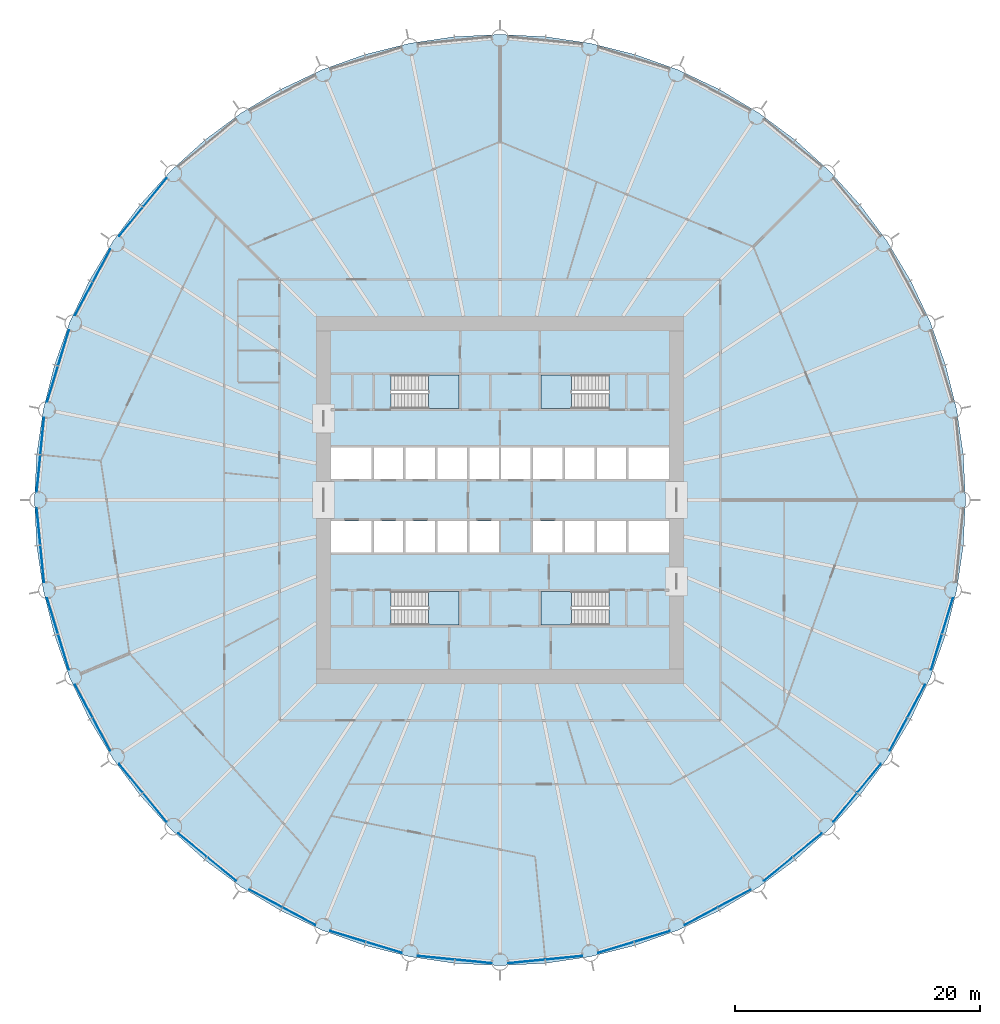
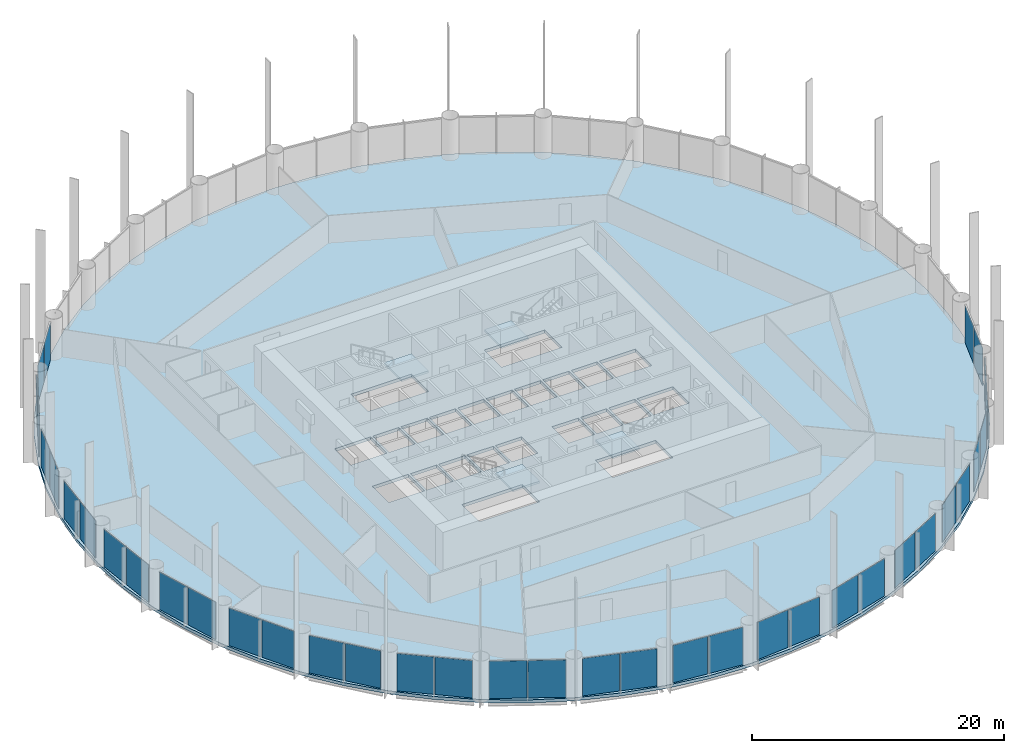
# One storey, part 7 of 15: 38 plates, 5 slabs, 23 elements without a shape of their own.
"""IFC4 building model written with IfcOpenShell, lengths in metres."""

from ifc_helpers import new_model, si_unit, direction, frame, origin, origin_2d, place, context, subcontext, project, spatial, polyline, rectangle, outline, extrude, material, layer, layer_set, type_object, element, aggregate, save


model = new_model("IFC4")

# Units and contexts
model_context = context("Model", 3, precision=1e-05, world=origin(), true_north=direction((0.0, 1.0)))
body_context = subcontext(model_context, "Body", "Model", "MODEL_VIEW")
ifc_project = project(units=[si_unit("LENGTHUNIT", "METRE"), si_unit("AREAUNIT", "SQUARE_METRE"), si_unit("VOLUMEUNIT", "CUBIC_METRE"), si_unit("PLANEANGLEUNIT", "RADIAN"), si_unit("MASSUNIT", "GRAM", prefix="KILO")], contexts=[model_context])

# Site, building, storey
site_placement = place(None, origin())
site = spatial("IfcSite", under=ifc_project, at=site_placement, CompositionType="ELEMENT")
building_placement = place(site_placement, origin())
building = spatial("IfcBuilding", under=site, at=building_placement, Name="Corvane Civic Tower", CompositionType="ELEMENT")
storey_placement = place(building_placement, frame((0.0, 0.0, 65.0)))
storey = spatial("IfcBuildingStorey", under=building, at=storey_placement, Name="L14", CompositionType="ELEMENT", Elevation=65.0)

# Slab
ifc_material_1 = material(Name="Concrete C40/50", Category="concrete")
ifc_layer_1 = layer(ifc_material_1, 0.300048828125)
ifc_layer_set_1 = layer_set([ifc_layer_1], Name="Concrete C40/50")
slab_type_1 = type_object("IfcSlabType", Name="FLOOR SLAB 300", PredefinedType="FLOOR", material=ifc_layer_set_1)
slab_1_placement = place(storey_placement, frame((0.0, 0.0, -0.300048828125)))
element("IfcSlab", 1, at=slab_1_placement, inside=storey, type_object=slab_type_1, Name="SLB-L14", PredefinedType="FLOOR", context=body_context, shape_type="SweptSolid", body=[
    extrude(outline(polyline([(0.0, 38.0), (-3.724609375, 37.817138671875), (-7.413330078125, 37.269775390625), (-11.03076171875, 36.36376953125), (-14.5419921875, 35.107421875), (-17.9130859375, 33.512939453125), (-21.111572265625, 31.595947265625), (-24.10693359375, 29.37451171875), (-26.8701171875, 26.8701171875), (-29.37451171875, 24.10693359375), (-31.595947265625, 21.111572265625), (-33.512939453125, 17.9130859375), (-35.107421875, 14.5419921875), (-36.36376953125, 11.03076171875), (-37.269775390625, 7.413330078125), (-37.817138671875, 3.724609375), (-38.0, 0.0), (-37.817138671875, -3.724609375), (-37.269775390625, -7.413330078125), (-36.36376953125, -11.03076171875), (-35.107421875, -14.5419921875), (-33.512939453125, -17.9130859375), (-31.595947265625, -21.111572265625), (-29.37451171875, -24.10693359375), (-26.8701171875, -26.8701171875), (-24.10693359375, -29.37451171875), (-21.111572265625, -31.595947265625), (-17.9130859375, -33.512939453125), (-14.5419921875, -35.107421875), (-11.03076171875, -36.36376953125), (-7.413330078125, -37.269775390625), (-3.724609375, -37.817138671875), (0.0, -38.0), (3.724609375, -37.817138671875), (7.413330078125, -37.269775390625), (11.03076171875, -36.36376953125), (14.5419921875, -35.107421875), (17.9130859375, -33.512939453125), (21.111572265625, -31.595947265625), (24.10693359375, -29.37451171875), (26.8701171875, -26.8701171875), (29.37451171875, -24.10693359375), (31.595947265625, -21.111572265625), (33.512939453125, -17.9130859375), (35.107421875, -14.5419921875), (36.36376953125, -11.03076171875), (37.269775390625, -7.413330078125), (37.817138671875, -3.724609375), (38.0, 0.0), (37.817138671875, 3.724609375), (37.269775390625, 7.413330078125), (36.36376953125, 11.03076171875), (35.107421875, 14.5419921875), (33.512939453125, 17.9130859375), (31.595947265625, 21.111572265625), (29.37451171875, 24.10693359375), (26.8701171875, 26.8701171875), (24.10693359375, 29.37451171875), (21.111572265625, 31.595947265625), (17.9130859375, 33.512939453125), (14.5419921875, 35.107421875), (11.03076171875, 36.36376953125), (7.413330078125, 37.269775390625), (3.724609375, 37.817138671875), (0.0, 38.0)]), holes=[polyline([(-13.800048828125, 4.300048828125), (-10.5, 4.300048828125), (-10.5, 1.699951171875), (-13.800048828125, 1.699951171875), (-13.800048828125, 4.300048828125)]), polyline([(-10.300048828125, 4.300048828125), (-7.89990234375, 4.300048828125), (-7.89990234375, 1.699951171875), (-10.300048828125, 1.699951171875), (-10.300048828125, 4.300048828125)]), polyline([(-5.300048828125, 1.699951171875), (-7.699951171875, 1.699951171875), (-7.699951171875, 4.300048828125), (-5.300048828125, 4.300048828125), (-5.300048828125, 1.699951171875)]), polyline([(-2.699951171875, 1.699951171875), (-5.10009765625, 1.699951171875), (-5.10009765625, 4.300048828125), (-2.699951171875, 4.300048828125), (-2.699951171875, 1.699951171875)]), polyline([(-2.5, 4.300048828125), (-0.10009765625, 4.300048828125), (-0.10009765625, 1.699951171875), (-2.5, 1.699951171875), (-2.5, 4.300048828125)]), polyline([(2.5, 4.300048828125), (2.5, 1.699951171875), (0.10009765625, 1.699951171875), (0.10009765625, 4.300048828125), (2.5, 4.300048828125)]), polyline([(2.699951171875, 4.300048828125), (5.10009765625, 4.300048828125), (5.10009765625, 1.699951171875), (2.699951171875, 1.699951171875), (2.699951171875, 4.300048828125)]), polyline([(5.300048828125, 4.300048828125), (7.699951171875, 4.300048828125), (7.699951171875, 1.699951171875), (5.300048828125, 1.699951171875), (5.300048828125, 4.300048828125)]), polyline([(7.89990234375, 4.300048828125), (10.300048828125, 4.300048828125), (10.300048828125, 1.699951171875), (7.89990234375, 1.699951171875), (7.89990234375, 4.300048828125)]), polyline([(13.800048828125, 1.699951171875), (10.5, 1.699951171875), (10.5, 4.300048828125), (13.800048828125, 4.300048828125), (13.800048828125, 1.699951171875)]), polyline([(-13.800048828125, -1.699951171875), (-10.5, -1.699951171875), (-10.5, -4.300048828125), (-13.800048828125, -4.300048828125), (-13.800048828125, -1.699951171875)]), polyline([(-7.89990234375, -1.699951171875), (-7.89990234375, -4.300048828125), (-10.300048828125, -4.300048828125), (-10.300048828125, -1.699951171875), (-7.89990234375, -1.699951171875)]), polyline([(-7.699951171875, -4.300048828125), (-7.699951171875, -1.699951171875), (-5.300048828125, -1.699951171875), (-5.300048828125, -4.300048828125), (-7.699951171875, -4.300048828125)]), polyline([(-5.10009765625, -4.300048828125), (-5.10009765625, -1.699951171875), (-2.699951171875, -1.699951171875), (-2.699951171875, -4.300048828125), (-5.10009765625, -4.300048828125)]), polyline([(-0.10009765625, -1.699951171875), (-0.10009765625, -4.300048828125), (-2.5, -4.300048828125), (-2.5, -1.699951171875), (-0.10009765625, -1.699951171875)]), polyline([(5.10009765625, -1.699951171875), (5.10009765625, -4.300048828125), (2.699951171875, -4.300048828125), (2.699951171875, -1.699951171875), (5.10009765625, -1.699951171875)]), polyline([(7.699951171875, -1.699951171875), (7.699951171875, -4.300048828125), (5.300048828125, -4.300048828125), (5.300048828125, -1.699951171875), (7.699951171875, -1.699951171875)]), polyline([(10.300048828125, -1.699951171875), (10.300048828125, -4.300048828125), (7.89990234375, -4.300048828125), (7.89990234375, -1.699951171875), (10.300048828125, -1.699951171875)]), polyline([(13.800048828125, -4.300048828125), (10.5, -4.300048828125), (10.5, -1.699951171875), (13.800048828125, -1.699951171875), (13.800048828125, -4.300048828125)]), polyline([(8.889892578125, 10.199951171875), (8.889892578125, 7.449951171875), (3.35009765625, 7.449951171875), (3.35009765625, 10.199951171875), (8.889892578125, 10.199951171875)]), polyline([(-8.889892578125, 7.449951171875), (-8.889892578125, 10.199951171875), (-3.35009765625, 10.199951171875), (-3.35009765625, 7.449951171875), (-8.889892578125, 7.449951171875)]), polyline([(8.889892578125, -7.449951171875), (8.889892578125, -10.199951171875), (3.35009765625, -10.199951171875), (3.35009765625, -7.449951171875), (8.889892578125, -7.449951171875)]), polyline([(-8.889892578125, -10.199951171875), (-8.889892578125, -7.449951171875), (-3.35009765625, -7.449951171875), (-3.35009765625, -10.199951171875), (-8.889892578125, -10.199951171875)])]), origin(), (0.0, 0.0, 1.0), 0.300048828125),
])

# Stair, slab
ifc_material_2 = material(Name="Concrete C40/50", Category="concrete")
stair_type = type_object("IfcStairType", Name="ST-STAIR-HALFTURN", PredefinedType="HALF_TURN_STAIR", material=ifc_material_2)
stair_1_placement = place(storey_placement, origin())
stair_1 = element("IfcStair", 2, at=stair_1_placement, inside=storey, type_object=stair_type, Name="L14 Exit stair ST1", PredefinedType="HALF_TURN_STAIR")
ifc_material_3 = material(Name="Concrete C40/50", Category="concrete")
ifc_layer_2 = layer(ifc_material_3, 0.199951171875)
ifc_layer_set_2 = layer_set([ifc_layer_2], Name="Concrete C40/50")
slab_type_2 = type_object("IfcSlabType", Name="ST-LANDING-RC", PredefinedType="LANDING", material=ifc_layer_set_2)
slab_2_placement = place(storey_placement, frame((0.0, 0.0, 1.800048828125)))
slab_2 = element("IfcSlab", 3, at=slab_2_placement, type_object=slab_type_2, Name="ST1 landing 1", PredefinedType="LANDING", context=body_context, shape_type="SweptSolid", body=[
    extrude(outline(polyline([(5.820068359375, 10.199951171875), (3.35009765625, 10.199951171875), (3.35009765625, 7.449951171875), (5.820068359375, 7.449951171875), (5.820068359375, 10.199951171875)])), origin(), (0.0, 0.0, 1.0), 0.199951171875),
])
aggregate(stair_1, [slab_2])

stair_2_placement = place(storey_placement, origin())
stair_2 = element("IfcStair", 4, at=stair_2_placement, inside=storey, type_object=stair_type, Name="L14 Exit stair ST2", PredefinedType="HALF_TURN_STAIR")
slab_3_placement = place(storey_placement, frame((0.0, 0.0, 1.800048828125)))
slab_3 = element("IfcSlab", 5, at=slab_3_placement, type_object=slab_type_2, Name="ST2 landing 1", PredefinedType="LANDING", context=body_context, shape_type="SweptSolid", body=[
    extrude(outline(polyline([(5.820068359375, -7.449951171875), (3.35009765625, -7.449951171875), (3.35009765625, -10.199951171875), (5.820068359375, -10.199951171875), (5.820068359375, -7.449951171875)])), origin(), (0.0, 0.0, 1.0), 0.199951171875),
])
aggregate(stair_2, [slab_3])

stair_3_placement = place(storey_placement, origin())
stair_3 = element("IfcStair", 6, at=stair_3_placement, inside=storey, type_object=stair_type, Name="L14 Exit stair ST3", PredefinedType="HALF_TURN_STAIR")
slab_4_placement = place(storey_placement, frame((0.0, 0.0, 1.800048828125)))
slab_4 = element("IfcSlab", 7, at=slab_4_placement, type_object=slab_type_2, Name="ST3 landing 1", PredefinedType="LANDING", context=body_context, shape_type="SweptSolid", body=[
    extrude(outline(polyline([(-5.820068359375, -10.199951171875), (-3.35009765625, -10.199951171875), (-3.35009765625, -7.449951171875), (-5.820068359375, -7.449951171875), (-5.820068359375, -10.199951171875)])), origin(), (0.0, 0.0, 1.0), 0.199951171875),
])
aggregate(stair_3, [slab_4])

stair_4_placement = place(storey_placement, origin())
stair_4 = element("IfcStair", 8, at=stair_4_placement, inside=storey, type_object=stair_type, Name="L14 Exit stair ST4", PredefinedType="HALF_TURN_STAIR")
slab_5_placement = place(storey_placement, frame((0.0, 0.0, 1.800048828125)))
slab_5 = element("IfcSlab", 9, at=slab_5_placement, type_object=slab_type_2, Name="ST4 landing 1", PredefinedType="LANDING", context=body_context, shape_type="SweptSolid", body=[
    extrude(outline(polyline([(-5.820068359375, 7.449951171875), (-3.35009765625, 7.449951171875), (-3.35009765625, 10.199951171875), (-5.820068359375, 10.199951171875), (-5.820068359375, 7.449951171875)])), origin(), (0.0, 0.0, 1.0), 0.199951171875),
])
aggregate(stair_4, [slab_5])

# Curtain wall, plates
ifc_material_4 = material(Name="Anodised aluminium bronze", Category="aluminium")
curtain_wall_type = type_object("IfcCurtainWallType", Name="TOWER CW-T1 STICK CURTAIN WALL", PredefinedType="NOTDEFINED", material=ifc_material_4)
curtain_wall_1_placement = place(storey_placement, origin())
curtain_wall_1 = element("IfcCurtainWall", 10, at=curtain_wall_1_placement, inside=storey, type_object=curtain_wall_type, Name="Curtain wall CW-T1 L14 bay 10", PredefinedType="NOTDEFINED")
ifc_material_5 = material(Name="Tinted glass", Category="glass")
ifc_layer_3 = layer(ifc_material_5, 0.035888671875)
ifc_layer_set_3 = layer_set([ifc_layer_3], Name="Tinted glass")
plate_type = type_object("IfcPlateType", Name="TOWER CW-T1 PANEL IGU36", PredefinedType="CURTAIN_PANEL", material=ifc_layer_set_3)
plate_1_placement = place(storey_placement, frame((36.522705078125, -9.46533203125, 0.0), z_axis=(0.0, 0.0, 1.0), x_axis=(-0.290278397654, -0.956942240606, 0.0)))
plate_1 = element("IfcPlate", 11, at=plate_1_placement, type_object=plate_type, Name="Glass panel CW-T1 L14 10.1", PredefinedType="CURTAIN_PANEL", context=body_context, shape_type="SweptSolid", body=[
    extrude(rectangle(XDim=3.008544921875, YDim=0.035888671875, at=origin_2d()), origin(), (0.0, 0.0, 1.0), 3.6298828125),
])
plate_2_placement = place(storey_placement, frame((35.6259765625, -12.4208984375, 0.0), z_axis=(0.0, 0.0, 1.0), x_axis=(-0.290278397654, -0.956942240606, 0.0)))
plate_2 = element("IfcPlate", 12, at=plate_2_placement, type_object=plate_type, Name="Glass panel CW-T1 L14 10.2", PredefinedType="CURTAIN_PANEL", context=body_context, shape_type="SweptSolid", body=[
    extrude(rectangle(XDim=3.008544921875, YDim=0.035888671875, at=origin_2d()), origin(), (0.0, 0.0, 1.0), 3.6298828125),
])
aggregate(curtain_wall_1, [plate_1, plate_2])

curtain_wall_2_placement = place(storey_placement, origin())
curtain_wall_2 = element("IfcCurtainWall", 13, at=curtain_wall_2_placement, inside=storey, type_object=curtain_wall_type, Name="Curtain wall CW-T1 L14 bay 11", PredefinedType="NOTDEFINED")
plate_3_placement = place(storey_placement, frame((33.974365234375, -16.40869140625, 0.0), z_axis=(0.0, 0.0, 1.0), x_axis=(-0.471403725359, -0.881917528864, 0.0)))
plate_3 = element("IfcPlate", 14, at=plate_3_placement, type_object=plate_type, Name="Glass panel CW-T1 L14 11.1", PredefinedType="CURTAIN_PANEL", context=body_context, shape_type="SweptSolid", body=[
    extrude(rectangle(XDim=3.008544921875, YDim=0.035888671875, at=origin_2d()), origin(), (0.0, 0.0, 1.0), 3.6298828125),
])
plate_4_placement = place(storey_placement, frame((32.518310546875, -19.132568359375, 0.0), z_axis=(0.0, 0.0, 1.0), x_axis=(-0.471403725359, -0.881917528864, 0.0)))
plate_4 = element("IfcPlate", 15, at=plate_4_placement, type_object=plate_type, Name="Glass panel CW-T1 L14 11.2", PredefinedType="CURTAIN_PANEL", context=body_context, shape_type="SweptSolid", body=[
    extrude(rectangle(XDim=3.008544921875, YDim=0.035888671875, at=origin_2d()), origin(), (0.0, 0.0, 1.0), 3.6298828125),
])
aggregate(curtain_wall_2, [plate_3, plate_4])

curtain_wall_3_placement = place(storey_placement, origin())
curtain_wall_3 = element("IfcCurtainWall", 16, at=curtain_wall_3_placement, inside=storey, type_object=curtain_wall_type, Name="Curtain wall CW-T1 L14 bay 12", PredefinedType="NOTDEFINED")
plate_5_placement = place(storey_placement, frame((30.120361328125, -22.721435546875, 0.0), z_axis=(0.0, 0.0, 1.0), x_axis=(-0.634397218569, -0.773007224463, 0.0)))
plate_5 = element("IfcPlate", 17, at=plate_5_placement, type_object=plate_type, Name="Glass panel CW-T1 L14 12.1", PredefinedType="CURTAIN_PANEL", context=body_context, shape_type="SweptSolid", body=[
    extrude(rectangle(XDim=3.008544921875, YDim=0.035888671875, at=origin_2d()), origin(), (0.0, 0.0, 1.0), 3.6298828125),
])
plate_6_placement = place(storey_placement, frame((28.160888671875, -25.10888671875, 0.0), z_axis=(0.0, 0.0, 1.0), x_axis=(-0.634397218569, -0.773007224463, 0.0)))
plate_6 = element("IfcPlate", 18, at=plate_6_placement, type_object=plate_type, Name="Glass panel CW-T1 L14 12.2", PredefinedType="CURTAIN_PANEL", context=body_context, shape_type="SweptSolid", body=[
    extrude(rectangle(XDim=3.008544921875, YDim=0.035888671875, at=origin_2d()), origin(), (0.0, 0.0, 1.0), 3.6298828125),
])
aggregate(curtain_wall_3, [plate_5, plate_6])

curtain_wall_4_placement = place(storey_placement, origin())
curtain_wall_4 = element("IfcCurtainWall", 19, at=curtain_wall_4_placement, inside=storey, type_object=curtain_wall_type, Name="Curtain wall CW-T1 L14 bay 13", PredefinedType="NOTDEFINED")
plate_7_placement = place(storey_placement, frame((25.10888671875, -28.160888671875, 0.0), z_axis=(0.0, 0.0, 1.0), x_axis=(-0.773007224463, -0.634397218569, 0.0)))
plate_7 = element("IfcPlate", 20, at=plate_7_placement, type_object=plate_type, Name="Glass panel CW-T1 L14 13.1", PredefinedType="CURTAIN_PANEL", context=body_context, shape_type="SweptSolid", body=[
    extrude(rectangle(XDim=3.008544921875, YDim=0.035888671875, at=origin_2d()), origin(), (0.0, 0.0, 1.0), 3.6298828125),
])
plate_8_placement = place(storey_placement, frame((22.721435546875, -30.120361328125, 0.0), z_axis=(0.0, 0.0, 1.0), x_axis=(-0.773007224463, -0.634397218569, 0.0)))
plate_8 = element("IfcPlate", 21, at=plate_8_placement, type_object=plate_type, Name="Glass panel CW-T1 L14 13.2", PredefinedType="CURTAIN_PANEL", context=body_context, shape_type="SweptSolid", body=[
    extrude(rectangle(XDim=3.008544921875, YDim=0.035888671875, at=origin_2d()), origin(), (0.0, 0.0, 1.0), 3.6298828125),
])
aggregate(curtain_wall_4, [plate_7, plate_8])

curtain_wall_5_placement = place(storey_placement, origin())
curtain_wall_5 = element("IfcCurtainWall", 22, at=curtain_wall_5_placement, inside=storey, type_object=curtain_wall_type, Name="Curtain wall CW-T1 L14 bay 14", PredefinedType="NOTDEFINED")
plate_9_placement = place(storey_placement, frame((19.132568359375, -32.518310546875, 0.0), z_axis=(0.0, 0.0, 1.0), x_axis=(-0.881917528864, -0.471403725359, 0.0)))
plate_9 = element("IfcPlate", 23, at=plate_9_placement, type_object=plate_type, Name="Glass panel CW-T1 L14 14.1", PredefinedType="CURTAIN_PANEL", context=body_context, shape_type="SweptSolid", body=[
    extrude(rectangle(XDim=3.008544921875, YDim=0.035888671875, at=origin_2d()), origin(), (0.0, 0.0, 1.0), 3.6298828125),
])
plate_10_placement = place(storey_placement, frame((16.40869140625, -33.974365234375, 0.0), z_axis=(0.0, 0.0, 1.0), x_axis=(-0.881917528864, -0.471403725359, 0.0)))
plate_10 = element("IfcPlate", 24, at=plate_10_placement, type_object=plate_type, Name="Glass panel CW-T1 L14 14.2", PredefinedType="CURTAIN_PANEL", context=body_context, shape_type="SweptSolid", body=[
    extrude(rectangle(XDim=3.008544921875, YDim=0.035888671875, at=origin_2d()), origin(), (0.0, 0.0, 1.0), 3.6298828125),
])
aggregate(curtain_wall_5, [plate_9, plate_10])

curtain_wall_6_placement = place(storey_placement, origin())
curtain_wall_6 = element("IfcCurtainWall", 25, at=curtain_wall_6_placement, inside=storey, type_object=curtain_wall_type, Name="Curtain wall CW-T1 L14 bay 15", PredefinedType="NOTDEFINED")
plate_11_placement = place(storey_placement, frame((12.4208984375, -35.6259765625, 0.0), z_axis=(0.0, 0.0, 1.0), x_axis=(-0.956942240606, -0.290278397654, 0.0)))
plate_11 = element("IfcPlate", 26, at=plate_11_placement, type_object=plate_type, Name="Glass panel CW-T1 L14 15.1", PredefinedType="CURTAIN_PANEL", context=body_context, shape_type="SweptSolid", body=[
    extrude(rectangle(XDim=3.008544921875, YDim=0.035888671875, at=origin_2d()), origin(), (0.0, 0.0, 1.0), 3.6298828125),
])
plate_12_placement = place(storey_placement, frame((9.46533203125, -36.522705078125, 0.0), z_axis=(0.0, 0.0, 1.0), x_axis=(-0.956942240606, -0.290278397654, 0.0)))
plate_12 = element("IfcPlate", 27, at=plate_12_placement, type_object=plate_type, Name="Glass panel CW-T1 L14 15.2", PredefinedType="CURTAIN_PANEL", context=body_context, shape_type="SweptSolid", body=[
    extrude(rectangle(XDim=3.008544921875, YDim=0.035888671875, at=origin_2d()), origin(), (0.0, 0.0, 1.0), 3.6298828125),
])
aggregate(curtain_wall_6, [plate_11, plate_12])

curtain_wall_7_placement = place(storey_placement, origin())
curtain_wall_7 = element("IfcCurtainWall", 28, at=curtain_wall_7_placement, inside=storey, type_object=curtain_wall_type, Name="Curtain wall CW-T1 L14 bay 16", PredefinedType="NOTDEFINED")
plate_13_placement = place(storey_placement, frame((5.23193359375, -37.36474609375, 0.0), z_axis=(0.0, 0.0, 1.0), x_axis=(-0.995185800248, -0.098006239521, 0.0)))
plate_13 = element("IfcPlate", 29, at=plate_13_placement, type_object=plate_type, Name="Glass panel CW-T1 L14 16.1", PredefinedType="CURTAIN_PANEL", context=body_context, shape_type="SweptSolid", body=[
    extrude(rectangle(XDim=3.008544921875, YDim=0.035888671875, at=origin_2d()), origin(), (0.0, 0.0, 1.0), 3.6298828125),
])
plate_14_placement = place(storey_placement, frame((2.158203125, -37.667236328125, 0.0), z_axis=(0.0, 0.0, 1.0), x_axis=(-0.995185800248, -0.098006239521, 0.0)))
plate_14 = element("IfcPlate", 30, at=plate_14_placement, type_object=plate_type, Name="Glass panel CW-T1 L14 16.2", PredefinedType="CURTAIN_PANEL", context=body_context, shape_type="SweptSolid", body=[
    extrude(rectangle(XDim=3.008544921875, YDim=0.035888671875, at=origin_2d()), origin(), (0.0, 0.0, 1.0), 3.6298828125),
])
aggregate(curtain_wall_7, [plate_13, plate_14])

curtain_wall_8_placement = place(storey_placement, origin())
curtain_wall_8 = element("IfcCurtainWall", 31, at=curtain_wall_8_placement, inside=storey, type_object=curtain_wall_type, Name="Curtain wall CW-T1 L14 bay 17", PredefinedType="NOTDEFINED")
plate_15_placement = place(storey_placement, frame((-2.158203125, -37.667236328125, 0.0), z_axis=(0.0, 0.0, 1.0), x_axis=(-0.995185800248, 0.098006239521, 0.0)))
plate_15 = element("IfcPlate", 32, at=plate_15_placement, type_object=plate_type, Name="Glass panel CW-T1 L14 17.1", PredefinedType="CURTAIN_PANEL", context=body_context, shape_type="SweptSolid", body=[
    extrude(rectangle(XDim=3.008544921875, YDim=0.035888671875, at=origin_2d()), origin(), (0.0, 0.0, 1.0), 3.6298828125),
])
plate_16_placement = place(storey_placement, frame((-5.23193359375, -37.36474609375, 0.0), z_axis=(0.0, 0.0, 1.0), x_axis=(-0.995185800248, 0.098006239521, 0.0)))
plate_16 = element("IfcPlate", 33, at=plate_16_placement, type_object=plate_type, Name="Glass panel CW-T1 L14 17.2", PredefinedType="CURTAIN_PANEL", context=body_context, shape_type="SweptSolid", body=[
    extrude(rectangle(XDim=3.008544921875, YDim=0.035888671875, at=origin_2d()), origin(), (0.0, 0.0, 1.0), 3.6298828125),
])
aggregate(curtain_wall_8, [plate_15, plate_16])

curtain_wall_9_placement = place(storey_placement, origin())
curtain_wall_9 = element("IfcCurtainWall", 34, at=curtain_wall_9_placement, inside=storey, type_object=curtain_wall_type, Name="Curtain wall CW-T1 L14 bay 18", PredefinedType="NOTDEFINED")
plate_17_placement = place(storey_placement, frame((-9.46533203125, -36.522705078125, 0.0), z_axis=(0.0, 0.0, 1.0), x_axis=(-0.956942240606, 0.290278397654, 0.0)))
plate_17 = element("IfcPlate", 35, at=plate_17_placement, type_object=plate_type, Name="Glass panel CW-T1 L14 18.1", PredefinedType="CURTAIN_PANEL", context=body_context, shape_type="SweptSolid", body=[
    extrude(rectangle(XDim=3.008544921875, YDim=0.035888671875, at=origin_2d()), origin(), (0.0, 0.0, 1.0), 3.6298828125),
])
plate_18_placement = place(storey_placement, frame((-12.4208984375, -35.6259765625, 0.0), z_axis=(0.0, 0.0, 1.0), x_axis=(-0.956942240606, 0.290278397654, 0.0)))
plate_18 = element("IfcPlate", 36, at=plate_18_placement, type_object=plate_type, Name="Glass panel CW-T1 L14 18.2", PredefinedType="CURTAIN_PANEL", context=body_context, shape_type="SweptSolid", body=[
    extrude(rectangle(XDim=3.008544921875, YDim=0.035888671875, at=origin_2d()), origin(), (0.0, 0.0, 1.0), 3.6298828125),
])
aggregate(curtain_wall_9, [plate_17, plate_18])

curtain_wall_10_placement = place(storey_placement, origin())
curtain_wall_10 = element("IfcCurtainWall", 37, at=curtain_wall_10_placement, inside=storey, type_object=curtain_wall_type, Name="Curtain wall CW-T1 L14 bay 19", PredefinedType="NOTDEFINED")
plate_19_placement = place(storey_placement, frame((-16.40869140625, -33.974365234375, 0.0), z_axis=(0.0, 0.0, 1.0), x_axis=(-0.881917528864, 0.471403725359, 0.0)))
plate_19 = element("IfcPlate", 38, at=plate_19_placement, type_object=plate_type, Name="Glass panel CW-T1 L14 19.1", PredefinedType="CURTAIN_PANEL", context=body_context, shape_type="SweptSolid", body=[
    extrude(rectangle(XDim=3.008544921875, YDim=0.035888671875, at=origin_2d()), origin(), (0.0, 0.0, 1.0), 3.6298828125),
])
plate_20_placement = place(storey_placement, frame((-19.132568359375, -32.518310546875, 0.0), z_axis=(0.0, 0.0, 1.0), x_axis=(-0.881917528864, 0.471403725359, 0.0)))
plate_20 = element("IfcPlate", 39, at=plate_20_placement, type_object=plate_type, Name="Glass panel CW-T1 L14 19.2", PredefinedType="CURTAIN_PANEL", context=body_context, shape_type="SweptSolid", body=[
    extrude(rectangle(XDim=3.008544921875, YDim=0.035888671875, at=origin_2d()), origin(), (0.0, 0.0, 1.0), 3.6298828125),
])
aggregate(curtain_wall_10, [plate_19, plate_20])

curtain_wall_11_placement = place(storey_placement, origin())
curtain_wall_11 = element("IfcCurtainWall", 40, at=curtain_wall_11_placement, inside=storey, type_object=curtain_wall_type, Name="Curtain wall CW-T1 L14 bay 20", PredefinedType="NOTDEFINED")
plate_21_placement = place(storey_placement, frame((-22.721435546875, -30.120361328125, 0.0), z_axis=(0.0, 0.0, 1.0), x_axis=(-0.773007224463, 0.634397218569, 0.0)))
plate_21 = element("IfcPlate", 41, at=plate_21_placement, type_object=plate_type, Name="Glass panel CW-T1 L14 20.1", PredefinedType="CURTAIN_PANEL", context=body_context, shape_type="SweptSolid", body=[
    extrude(rectangle(XDim=3.008544921875, YDim=0.035888671875, at=origin_2d()), origin(), (0.0, 0.0, 1.0), 3.6298828125),
])
plate_22_placement = place(storey_placement, frame((-25.10888671875, -28.160888671875, 0.0), z_axis=(0.0, 0.0, 1.0), x_axis=(-0.773007224463, 0.634397218569, 0.0)))
plate_22 = element("IfcPlate", 42, at=plate_22_placement, type_object=plate_type, Name="Glass panel CW-T1 L14 20.2", PredefinedType="CURTAIN_PANEL", context=body_context, shape_type="SweptSolid", body=[
    extrude(rectangle(XDim=3.008544921875, YDim=0.035888671875, at=origin_2d()), origin(), (0.0, 0.0, 1.0), 3.6298828125),
])
aggregate(curtain_wall_11, [plate_21, plate_22])

curtain_wall_12_placement = place(storey_placement, origin())
curtain_wall_12 = element("IfcCurtainWall", 43, at=curtain_wall_12_placement, inside=storey, type_object=curtain_wall_type, Name="Curtain wall CW-T1 L14 bay 21", PredefinedType="NOTDEFINED")
plate_23_placement = place(storey_placement, frame((-28.160888671875, -25.10888671875, 0.0), z_axis=(0.0, 0.0, 1.0), x_axis=(-0.634397218569, 0.773007224463, 0.0)))
plate_23 = element("IfcPlate", 44, at=plate_23_placement, type_object=plate_type, Name="Glass panel CW-T1 L14 21.1", PredefinedType="CURTAIN_PANEL", context=body_context, shape_type="SweptSolid", body=[
    extrude(rectangle(XDim=3.008544921875, YDim=0.035888671875, at=origin_2d()), origin(), (0.0, 0.0, 1.0), 3.6298828125),
])
plate_24_placement = place(storey_placement, frame((-30.120361328125, -22.721435546875, 0.0), z_axis=(0.0, 0.0, 1.0), x_axis=(-0.634397218569, 0.773007224463, 0.0)))
plate_24 = element("IfcPlate", 45, at=plate_24_placement, type_object=plate_type, Name="Glass panel CW-T1 L14 21.2", PredefinedType="CURTAIN_PANEL", context=body_context, shape_type="SweptSolid", body=[
    extrude(rectangle(XDim=3.008544921875, YDim=0.035888671875, at=origin_2d()), origin(), (0.0, 0.0, 1.0), 3.6298828125),
])
aggregate(curtain_wall_12, [plate_23, plate_24])

curtain_wall_13_placement = place(storey_placement, origin())
curtain_wall_13 = element("IfcCurtainWall", 46, at=curtain_wall_13_placement, inside=storey, type_object=curtain_wall_type, Name="Curtain wall CW-T1 L14 bay 22", PredefinedType="NOTDEFINED")
plate_25_placement = place(storey_placement, frame((-32.518310546875, -19.132568359375, 0.0), z_axis=(0.0, 0.0, 1.0), x_axis=(-0.471403725359, 0.881917528864, 0.0)))
plate_25 = element("IfcPlate", 47, at=plate_25_placement, type_object=plate_type, Name="Glass panel CW-T1 L14 22.1", PredefinedType="CURTAIN_PANEL", context=body_context, shape_type="SweptSolid", body=[
    extrude(rectangle(XDim=3.008544921875, YDim=0.035888671875, at=origin_2d()), origin(), (0.0, 0.0, 1.0), 3.6298828125),
])
plate_26_placement = place(storey_placement, frame((-33.974365234375, -16.40869140625, 0.0), z_axis=(0.0, 0.0, 1.0), x_axis=(-0.471403725359, 0.881917528864, 0.0)))
plate_26 = element("IfcPlate", 48, at=plate_26_placement, type_object=plate_type, Name="Glass panel CW-T1 L14 22.2", PredefinedType="CURTAIN_PANEL", context=body_context, shape_type="SweptSolid", body=[
    extrude(rectangle(XDim=3.008544921875, YDim=0.035888671875, at=origin_2d()), origin(), (0.0, 0.0, 1.0), 3.6298828125),
])
aggregate(curtain_wall_13, [plate_25, plate_26])

curtain_wall_14_placement = place(storey_placement, origin())
curtain_wall_14 = element("IfcCurtainWall", 49, at=curtain_wall_14_placement, inside=storey, type_object=curtain_wall_type, Name="Curtain wall CW-T1 L14 bay 23", PredefinedType="NOTDEFINED")
plate_27_placement = place(storey_placement, frame((-35.6259765625, -12.4208984375, 0.0), z_axis=(0.0, 0.0, 1.0), x_axis=(-0.290278397654, 0.956942240606, 0.0)))
plate_27 = element("IfcPlate", 50, at=plate_27_placement, type_object=plate_type, Name="Glass panel CW-T1 L14 23.1", PredefinedType="CURTAIN_PANEL", context=body_context, shape_type="SweptSolid", body=[
    extrude(rectangle(XDim=3.008544921875, YDim=0.035888671875, at=origin_2d()), origin(), (0.0, 0.0, 1.0), 3.6298828125),
])
plate_28_placement = place(storey_placement, frame((-36.522705078125, -9.46533203125, 0.0), z_axis=(0.0, 0.0, 1.0), x_axis=(-0.290278397654, 0.956942240606, 0.0)))
plate_28 = element("IfcPlate", 51, at=plate_28_placement, type_object=plate_type, Name="Glass panel CW-T1 L14 23.2", PredefinedType="CURTAIN_PANEL", context=body_context, shape_type="SweptSolid", body=[
    extrude(rectangle(XDim=3.008544921875, YDim=0.035888671875, at=origin_2d()), origin(), (0.0, 0.0, 1.0), 3.6298828125),
])
aggregate(curtain_wall_14, [plate_27, plate_28])

curtain_wall_15_placement = place(storey_placement, origin())
curtain_wall_15 = element("IfcCurtainWall", 52, at=curtain_wall_15_placement, inside=storey, type_object=curtain_wall_type, Name="Curtain wall CW-T1 L14 bay 24", PredefinedType="NOTDEFINED")
plate_29_placement = place(storey_placement, frame((-37.36474609375, -5.23193359375, 0.0), z_axis=(0.0, 0.0, 1.0), x_axis=(-0.098006239521, 0.995185800248, 0.0)))
plate_29 = element("IfcPlate", 53, at=plate_29_placement, type_object=plate_type, Name="Glass panel CW-T1 L14 24.1", PredefinedType="CURTAIN_PANEL", context=body_context, shape_type="SweptSolid", body=[
    extrude(rectangle(XDim=3.008544921875, YDim=0.035888671875, at=origin_2d()), origin(), (0.0, 0.0, 1.0), 3.6298828125),
])
plate_30_placement = place(storey_placement, frame((-37.667236328125, -2.158203125, 0.0), z_axis=(0.0, 0.0, 1.0), x_axis=(-0.098006239521, 0.995185800248, 0.0)))
plate_30 = element("IfcPlate", 54, at=plate_30_placement, type_object=plate_type, Name="Glass panel CW-T1 L14 24.2", PredefinedType="CURTAIN_PANEL", context=body_context, shape_type="SweptSolid", body=[
    extrude(rectangle(XDim=3.008544921875, YDim=0.035888671875, at=origin_2d()), origin(), (0.0, 0.0, 1.0), 3.6298828125),
])
aggregate(curtain_wall_15, [plate_29, plate_30])

curtain_wall_16_placement = place(storey_placement, origin())
curtain_wall_16 = element("IfcCurtainWall", 55, at=curtain_wall_16_placement, inside=storey, type_object=curtain_wall_type, Name="Curtain wall CW-T1 L14 bay 25", PredefinedType="NOTDEFINED")
plate_31_placement = place(storey_placement, frame((-37.667236328125, 2.158203125, 0.0), z_axis=(0.0, 0.0, 1.0), x_axis=(0.098006239521, 0.995185800248, 0.0)))
plate_31 = element("IfcPlate", 56, at=plate_31_placement, type_object=plate_type, Name="Glass panel CW-T1 L14 25.1", PredefinedType="CURTAIN_PANEL", context=body_context, shape_type="SweptSolid", body=[
    extrude(rectangle(XDim=3.008544921875, YDim=0.035888671875, at=origin_2d()), origin(), (0.0, 0.0, 1.0), 3.6298828125),
])
plate_32_placement = place(storey_placement, frame((-37.36474609375, 5.23193359375, 0.0), z_axis=(0.0, 0.0, 1.0), x_axis=(0.098006239521, 0.995185800248, 0.0)))
plate_32 = element("IfcPlate", 57, at=plate_32_placement, type_object=plate_type, Name="Glass panel CW-T1 L14 25.2", PredefinedType="CURTAIN_PANEL", context=body_context, shape_type="SweptSolid", body=[
    extrude(rectangle(XDim=3.008544921875, YDim=0.035888671875, at=origin_2d()), origin(), (0.0, 0.0, 1.0), 3.6298828125),
])
aggregate(curtain_wall_16, [plate_31, plate_32])

curtain_wall_17_placement = place(storey_placement, origin())
curtain_wall_17 = element("IfcCurtainWall", 58, at=curtain_wall_17_placement, inside=storey, type_object=curtain_wall_type, Name="Curtain wall CW-T1 L14 bay 26", PredefinedType="NOTDEFINED")
plate_33_placement = place(storey_placement, frame((-36.522705078125, 9.46533203125, 0.0), z_axis=(0.0, 0.0, 1.0), x_axis=(0.290278397654, 0.956942240606, 0.0)))
plate_33 = element("IfcPlate", 59, at=plate_33_placement, type_object=plate_type, Name="Glass panel CW-T1 L14 26.1", PredefinedType="CURTAIN_PANEL", context=body_context, shape_type="SweptSolid", body=[
    extrude(rectangle(XDim=3.008544921875, YDim=0.035888671875, at=origin_2d()), origin(), (0.0, 0.0, 1.0), 3.6298828125),
])
plate_34_placement = place(storey_placement, frame((-35.6259765625, 12.4208984375, 0.0), z_axis=(0.0, 0.0, 1.0), x_axis=(0.290278397654, 0.956942240606, 0.0)))
plate_34 = element("IfcPlate", 60, at=plate_34_placement, type_object=plate_type, Name="Glass panel CW-T1 L14 26.2", PredefinedType="CURTAIN_PANEL", context=body_context, shape_type="SweptSolid", body=[
    extrude(rectangle(XDim=3.008544921875, YDim=0.035888671875, at=origin_2d()), origin(), (0.0, 0.0, 1.0), 3.6298828125),
])
aggregate(curtain_wall_17, [plate_33, plate_34])

curtain_wall_18_placement = place(storey_placement, origin())
curtain_wall_18 = element("IfcCurtainWall", 61, at=curtain_wall_18_placement, inside=storey, type_object=curtain_wall_type, Name="Curtain wall CW-T1 L14 bay 27", PredefinedType="NOTDEFINED")
plate_35_placement = place(storey_placement, frame((-33.974365234375, 16.40869140625, 0.0), z_axis=(0.0, 0.0, 1.0), x_axis=(0.471403725359, 0.881917528864, 0.0)))
plate_35 = element("IfcPlate", 62, at=plate_35_placement, type_object=plate_type, Name="Glass panel CW-T1 L14 27.1", PredefinedType="CURTAIN_PANEL", context=body_context, shape_type="SweptSolid", body=[
    extrude(rectangle(XDim=3.008544921875, YDim=0.035888671875, at=origin_2d()), origin(), (0.0, 0.0, 1.0), 3.6298828125),
])
plate_36_placement = place(storey_placement, frame((-32.518310546875, 19.132568359375, 0.0), z_axis=(0.0, 0.0, 1.0), x_axis=(0.471403725359, 0.881917528864, 0.0)))
plate_36 = element("IfcPlate", 63, at=plate_36_placement, type_object=plate_type, Name="Glass panel CW-T1 L14 27.2", PredefinedType="CURTAIN_PANEL", context=body_context, shape_type="SweptSolid", body=[
    extrude(rectangle(XDim=3.008544921875, YDim=0.035888671875, at=origin_2d()), origin(), (0.0, 0.0, 1.0), 3.6298828125),
])
aggregate(curtain_wall_18, [plate_35, plate_36])

curtain_wall_19_placement = place(storey_placement, origin())
curtain_wall_19 = element("IfcCurtainWall", 64, at=curtain_wall_19_placement, inside=storey, type_object=curtain_wall_type, Name="Curtain wall CW-T1 L14 bay 28", PredefinedType="NOTDEFINED")
plate_37_placement = place(storey_placement, frame((-30.120361328125, 22.721435546875, 0.0), z_axis=(0.0, 0.0, 1.0), x_axis=(0.634397218569, 0.773007224463, 0.0)))
plate_37 = element("IfcPlate", 65, at=plate_37_placement, type_object=plate_type, Name="Glass panel CW-T1 L14 28.1", PredefinedType="CURTAIN_PANEL", context=body_context, shape_type="SweptSolid", body=[
    extrude(rectangle(XDim=3.008544921875, YDim=0.035888671875, at=origin_2d()), origin(), (0.0, 0.0, 1.0), 3.6298828125),
])
plate_38_placement = place(storey_placement, frame((-28.160888671875, 25.10888671875, 0.0), z_axis=(0.0, 0.0, 1.0), x_axis=(0.634397218569, 0.773007224463, 0.0)))
plate_38 = element("IfcPlate", 66, at=plate_38_placement, type_object=plate_type, Name="Glass panel CW-T1 L14 28.2", PredefinedType="CURTAIN_PANEL", context=body_context, shape_type="SweptSolid", body=[
    extrude(rectangle(XDim=3.008544921875, YDim=0.035888671875, at=origin_2d()), origin(), (0.0, 0.0, 1.0), 3.6298828125),
])
aggregate(curtain_wall_19, [plate_37, plate_38])

save(model, "model.ifc")
